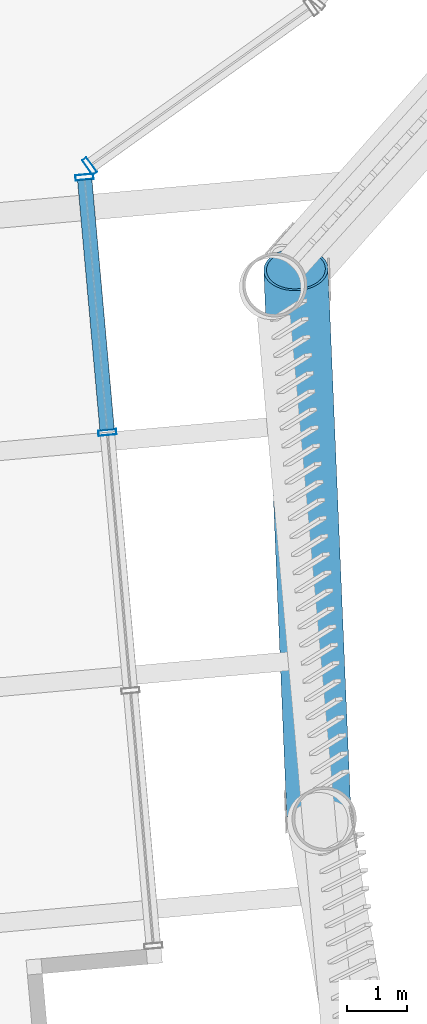
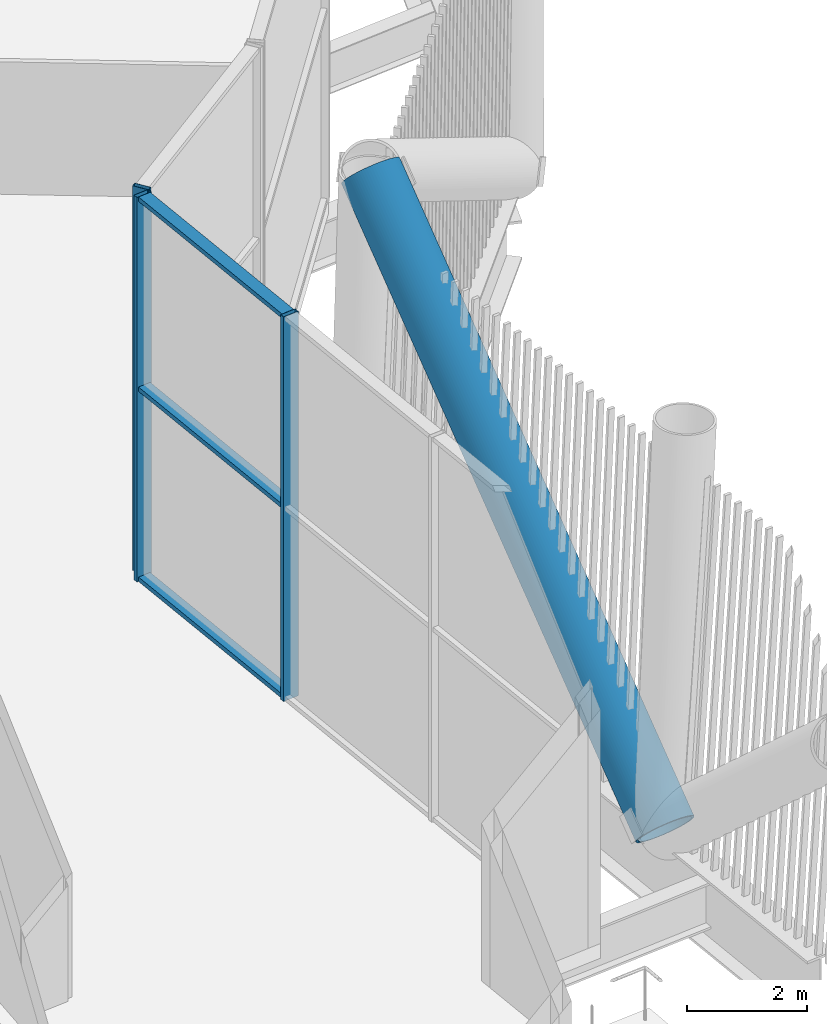
# One storey, part 10 of 55: 7 members, 2 elements without a shape of their own.
"""IFC4 building model written with IfcOpenShell, lengths in metres."""

from ifc_helpers import new_model, si_unit, direction, frame, origin, origin_2d, place, context, subcontext, project, spatial, hollow_rectangle, hollow_circle, extrude, material, layer, layer_set, material_profile, profile_set, type_object, element, aggregate, save


model = new_model("IFC4")

# Units and contexts
model_context = context("Model", 3, precision=1e-05, world=origin(), true_north=direction((0.0, 1.0)))
body_context = subcontext(model_context, "Body", "Model", "MODEL_VIEW")
ifc_project = project(units=[si_unit("LENGTHUNIT", "METRE"), si_unit("AREAUNIT", "SQUARE_METRE"), si_unit("VOLUMEUNIT", "CUBIC_METRE"), si_unit("PLANEANGLEUNIT", "RADIAN"), si_unit("MASSUNIT", "GRAM", prefix="KILO")], contexts=[model_context])

# Site, building, storey
site_placement = place(None, origin())
site = spatial("IfcSite", under=ifc_project, at=site_placement, CompositionType="ELEMENT")
building_placement = place(site_placement, origin())
building = spatial("IfcBuilding", under=site, at=building_placement, Name="Tarsis Ring Headquarters", CompositionType="ELEMENT")
storey_placement = place(building_placement, frame((0.0, 0.0, 247.199951171875)))
storey = spatial("IfcBuildingStorey", under=building, at=storey_placement, Name="L58", CompositionType="ELEMENT", Elevation=247.199951171875)

# Curtain wall, members
ifc_material_1 = material(Name="Aluminium curtain wall", Category="aluminium")
ifc_layer = layer(ifc_material_1, 0.300048828125)
ifc_layer_set = layer_set([ifc_layer], Name="Curtain wall upper sky lobby")
curtain_wall_type = type_object("IfcCurtainWallType", Name="Curtain wall upper sky lobby", PredefinedType="NOTDEFINED", material=ifc_layer_set)
curtain_wall_1_placement = place(storey_placement, origin())
curtain_wall_1 = element("IfcCurtainWall", 1, at=curtain_wall_1_placement, inside=storey, type_object=curtain_wall_type, Name="Curtain wall L58-16", PredefinedType="NOTDEFINED")
ifc_material_2 = material(Name="Aluminium mullion", Category="aluminium")
ifc_material_profile_1 = material_profile(ifc_material_2, hollow_rectangle(XDim=0.300048828125, YDim=0.090087890625, WallThickness=0.0048828125, at=origin_2d()), Name="RHS 300x90x5")
ifc_profile_set_1 = profile_set([ifc_material_profile_1], Name="Aluminium mullion")
member_type_1 = type_object("IfcMemberType", Name="Curtain wall mullion upper sky lobby RHS 300x90x5", PredefinedType="MULLION", material=ifc_profile_set_1)
member_1_placement = place(storey_placement, frame((14.25048828125, -25.98095703125, 0.0), z_axis=(0.0, 0.0, 1.0), x_axis=(-0.996009978505, -0.089241933627, 0.0)))
member_1 = element("IfcMember", 2, at=member_1_placement, type_object=member_type_1, Name="CW-U mullion 3", PredefinedType="MULLION", context=body_context, shape_type="SweptSolid", body=[
    extrude(hollow_rectangle(XDim=0.300048828125, YDim=0.090087890625, WallThickness=0.0048828125, at=origin_2d()), origin(), (0.0, 0.0, 1.0), 7.840087890625),
])
member_2_placement = place(storey_placement, frame((13.87060546875, -21.74267578125, 0.0), z_axis=(0.0, 0.0, 1.0), x_axis=(-0.996009978505, -0.089241933627, 0.0)))
member_2 = element("IfcMember", 3, at=member_2_placement, type_object=member_type_1, Name="CW-U mullion 4", PredefinedType="MULLION", context=body_context, shape_type="SweptSolid", body=[
    extrude(hollow_rectangle(XDim=0.300048828125, YDim=0.090087890625, WallThickness=0.0048828125, at=origin_2d()), origin(), (0.0, 0.0, 1.0), 7.840087890625),
])

# Curtain wall, member
curtain_wall_2_placement = place(storey_placement, origin())
curtain_wall_2 = element("IfcCurtainWall", 4, at=curtain_wall_2_placement, inside=storey, type_object=curtain_wall_type, Name="Curtain wall L58-17", PredefinedType="NOTDEFINED")
member_3_placement = place(storey_placement, frame((13.955078125, -21.558837890625, 0.0), z_axis=(0.0, 0.0, 1.0), x_axis=(-0.582406678092, 0.812897571231, 0.0)))
member_3 = element("IfcMember", 5, at=member_3_placement, type_object=member_type_1, Name="CW-U mullion 1", PredefinedType="MULLION", context=body_context, shape_type="SweptSolid", body=[
    extrude(hollow_rectangle(XDim=0.300048828125, YDim=0.090087890625, WallThickness=0.0048828125, at=origin_2d()), origin(), (0.0, 0.0, 1.0), 7.840087890625),
])
aggregate(curtain_wall_2, [member_3])

# Member
ifc_material_3 = material(Name="Aluminium transom", Category="aluminium")
ifc_material_profile_2 = material_profile(ifc_material_3, hollow_rectangle(XDim=0.239990234375, YDim=0.090087890625, WallThickness=0.0048828125, at=origin_2d()), Name="RHS 240x90x5")
ifc_profile_set_2 = profile_set([ifc_material_profile_2], Name="Aluminium transom")
member_type_2 = type_object("IfcMemberType", Name="Curtain wall transom upper sky lobby RHS 240x90x5", PredefinedType="USERDEFINED", material=ifc_profile_set_2)
member_4_placement = place(storey_placement, frame((14.246337890625, -25.936279296875, 0.045166015625), z_axis=(-0.089203975669, 0.996013378788, 0.0), x_axis=(-0.996013378788, -0.089203975669, 0.0)))
member_4 = element("IfcMember", 6, at=member_4_placement, type_object=member_type_2, Name="CW-U transom 3.1", ObjectType="TRANSOM", PredefinedType="USERDEFINED", context=body_context, shape_type="SweptSolid", body=[
    extrude(hollow_rectangle(XDim=0.239990234375, YDim=0.090087890625, WallThickness=0.0048828125, at=origin_2d()), origin(), (0.0, 0.0, 1.0), 4.16552734375),
])

member_5_placement = place(storey_placement, frame((14.246337890625, -25.936279296875, 3.920166015625), z_axis=(-0.089203975669, 0.996013378788, 0.0), x_axis=(-0.996013378788, -0.089203975669, 0.0)))
member_5 = element("IfcMember", 7, at=member_5_placement, type_object=member_type_2, Name="CW-U transom 3.2", ObjectType="TRANSOM", PredefinedType="USERDEFINED", context=body_context, shape_type="SweptSolid", body=[
    extrude(hollow_rectangle(XDim=0.239990234375, YDim=0.090087890625, WallThickness=0.0048828125, at=origin_2d()), origin(), (0.0, 0.0, 1.0), 4.16552734375),
])

member_6_placement = place(storey_placement, frame((14.246337890625, -25.936279296875, 7.795166015625), z_axis=(-0.089203975669, 0.996013378788, 0.0), x_axis=(-0.996013378788, -0.089203975669, 0.0)))
member_6 = element("IfcMember", 8, at=member_6_placement, type_object=member_type_2, Name="CW-U transom 3.3", ObjectType="TRANSOM", PredefinedType="USERDEFINED", context=body_context, shape_type="SweptSolid", body=[
    extrude(hollow_rectangle(XDim=0.239990234375, YDim=0.090087890625, WallThickness=0.0048828125, at=origin_2d()), origin(), (0.0, 0.0, 1.0), 4.16552734375),
])

aggregate(curtain_wall_1, [member_1, member_2, member_4, member_5, member_6])

ifc_material_4 = material(Name="Structural steel S355", Category="steel")
ifc_material_profile_3 = material_profile(ifc_material_4, hollow_circle(Radius=0.533447265625, WallThickness=0.044921875, at=origin_2d()), Name="CHS 1067x45")
ifc_profile_set_3 = profile_set([ifc_material_profile_3], Name="Structural steel S355")
member_type_3 = type_object("IfcMemberType", Name="TD Belt truss diagonal CHS 1067x45", PredefinedType="BRACE", material=ifc_profile_set_3)
member_7_placement = place(storey_placement, frame((17.76611328125, -32.441650390625, 0.0), z_axis=(-0.031689233606, 0.753040484167, 0.657210637223), x_axis=(-0.999115738972, -0.04204450188, 0.0)))
element("IfcMember", 9, at=member_7_placement, inside=storey, type_object=member_type_3, Name="Belt truss diagonal TD5", PredefinedType="BRACE", context=body_context, shape_type="SweptSolid", body=[
    extrude(hollow_circle(Radius=0.533447265625, WallThickness=0.044921875, at=origin_2d()), origin(), (0.0, 0.0, 1.0), 12.172607421875),
])

save(model, "model.ifc")
